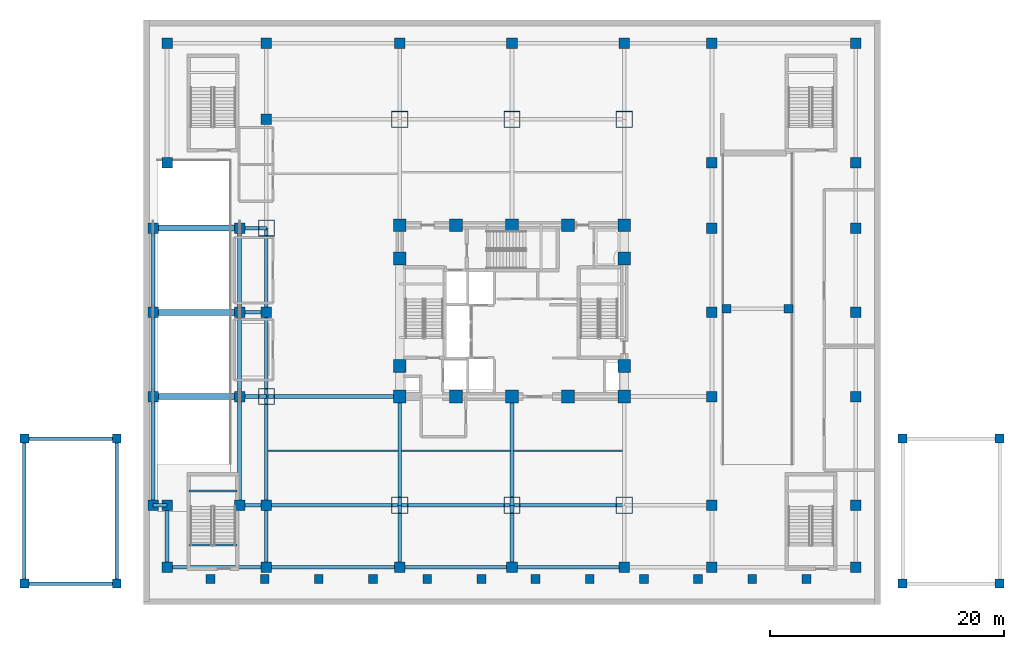
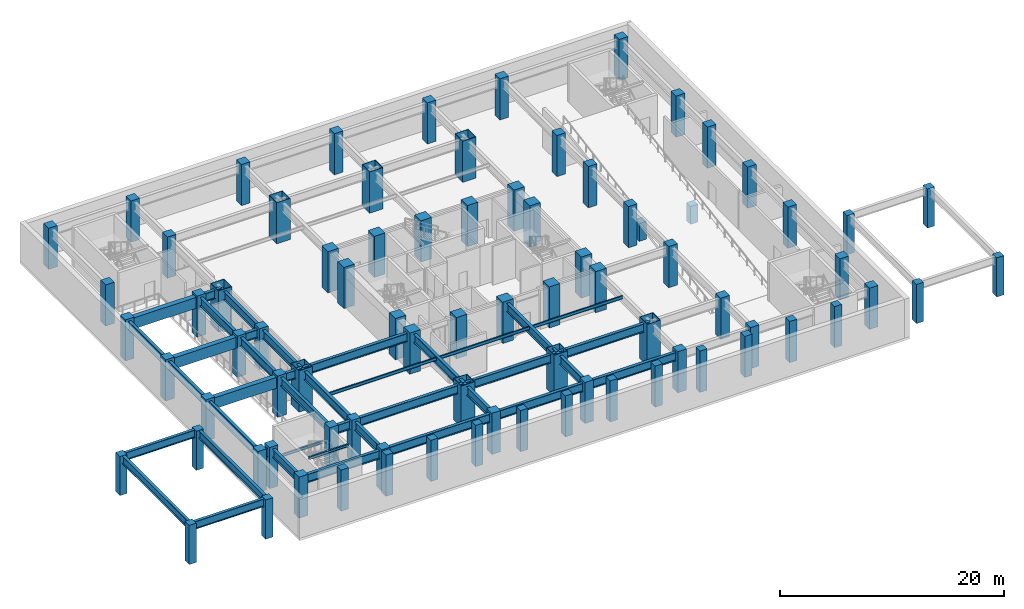
# One storey, part 1 of 12: 81 columns, 40 beams.
"""IFC4 building model written with IfcOpenShell, lengths in metres."""

import ifcopenshell
import ifcopenshell.guid

model = None  # the IFC model being written
_history = None  # IfcOwnerHistory: only IFC2X3 demands one
_inside = {}  # id of a spatial element -> (the spatial element, [elements in it])
_under = {}  # id of a project, library or spatial element -> (it, [spatial elements below it])
_declared = {}  # id of a project -> (the project, [libraries it declares])
_typed = {}  # id of a type object -> (the type object, [elements of that type])
_made_of = {}  # id of a material, layer set ... -> (it, [elements and type objects made of it])


def new_model(schema):
    """Start an empty IFC model of exactly this schema.

    Asked for "IFC4X3", IfcOpenShell would pick the latest addendum, in which some entities
    have other attributes; the version numbers below select the first issue.
    IFC2X3 requires an IfcOwnerHistory on every rooted entity: one is made here for all.
    """
    global model, _history
    if schema == "IFC4X3":
        model = ifcopenshell.file(schema_version=(4, 3, 0, 0))
    else:
        model = ifcopenshell.file(schema=schema)
    _inside.clear()
    _under.clear()
    _declared.clear()
    _typed.clear()
    _made_of.clear()
    _history = None
    if model.schema == "IFC2X3":
        org = make("IfcOrganization", Name="unknown")
        user = make(
            "IfcPersonAndOrganization",
            ThePerson=make("IfcPerson", FamilyName="unknown"),
            TheOrganization=org,
        )
        app = make(
            "IfcApplication",
            ApplicationDeveloper=org,
            Version="unknown",
            ApplicationFullName="unknown",
            ApplicationIdentifier="unknown",
        )
        _history = make(
            "IfcOwnerHistory",
            OwningUser=user,
            OwningApplication=app,
            ChangeAction="ADDED",
            CreationDate=0,
        )
    return model


def make(cls, **values):
    """One entity of the class cls with the attributes given. An attribute that is None is left unset."""
    return model.create_entity(
        cls, **{name: value for name, value in values.items() if value is not None}
    )


def rooted(cls, **values):
    """An entity with a GlobalId (a new one), such as an element, a storey or a relation."""
    return make(cls, GlobalId=ifcopenshell.guid.new(), OwnerHistory=_history, **values)


def si_unit(unit_type, name, prefix=None):
    """IfcSIUnit, for example si_unit("LENGTHUNIT", "METRE", prefix="MILLI")."""
    return make("IfcSIUnit", UnitType=unit_type, Prefix=prefix, Name=name)


def assignment(units):
    """IfcUnitAssignment: the units of a project."""
    return None if units is None else make("IfcUnitAssignment", Units=units)


def point(xyz):
    """IfcCartesianPoint."""
    return None if xyz is None else make("IfcCartesianPoint", Coordinates=xyz)


def direction(xyz):
    """IfcDirection."""
    return None if xyz is None else make("IfcDirection", DirectionRatios=xyz)


def frame(location, z_axis=None, x_axis=None):
    """IfcAxis2Placement3D, a coordinate frame: its origin and axes. An axis left out is left unset."""
    return make(
        "IfcAxis2Placement3D",
        Location=point(location),
        Axis=direction(z_axis),
        RefDirection=direction(x_axis),
    )


def frame_2d(location, x_axis=None):
    """IfcAxis2Placement2D, a coordinate frame in the plane: its origin and x axis."""
    return make(
        "IfcAxis2Placement2D", Location=point(location), RefDirection=direction(x_axis)
    )


def origin():
    """The frame at (0, 0, 0) with its axes left unset."""
    return frame((0.0, 0.0, 0.0))


def origin_2d():
    """The frame at (0, 0) in the plane with its x axis left unset."""
    return frame_2d((0.0, 0.0))


def place(relative_to, where):
    """IfcLocalPlacement: puts the frame where relative to a parent placement (None: the world)."""
    return make(
        "IfcLocalPlacement", PlacementRelTo=relative_to, RelativePlacement=where
    )


def context(
    kind, dimensions, precision=None, world=None, true_north=None, identifier=None
):
    """IfcGeometricRepresentationContext, for example the 3D "Model" context."""
    return make(
        "IfcGeometricRepresentationContext",
        ContextIdentifier=identifier,
        ContextType=kind,
        CoordinateSpaceDimension=dimensions,
        Precision=precision,
        WorldCoordinateSystem=world,
        TrueNorth=true_north,
    )


def subcontext(parent, identifier, kind, view, scale=None):
    """IfcGeometricRepresentationSubContext, for example "Body" below "Model"."""
    return make(
        "IfcGeometricRepresentationSubContext",
        ContextIdentifier=identifier,
        ContextType=kind,
        ParentContext=parent,
        TargetScale=scale,
        TargetView=view,
    )


def project(units=None, contexts=None):
    """IfcProject with its units and contexts."""
    return rooted(
        "IfcProject",
        Name="project",
        RepresentationContexts=contexts,
        UnitsInContext=assignment(units),
    )


def spatial(cls, under=None, at=None, **own):
    """A site, building, storey or space (cls), placed at a placement, below another one or the project."""
    s = rooted(cls, ObjectPlacement=at, **own)
    if under is not None:
        _under.setdefault(under.id(), (under, []))[1].append(s)
    return s


def profile(cls, at=None, kind="AREA", **sizes):
    """A parametric profile (cls). Its sizes go by their IFC names, for example OverallWidth=200.0."""
    return make(cls, ProfileType=kind, Position=at, **sizes)


def rectangle(**sizes):
    """IfcRectangleProfileDef."""
    return profile("IfcRectangleProfileDef", **sizes)


def hollow_rectangle(**sizes):
    """IfcRectangleHollowProfileDef."""
    return profile("IfcRectangleHollowProfileDef", **sizes)


def i_section(**sizes):
    """IfcIShapeProfileDef."""
    return profile("IfcIShapeProfileDef", **sizes)


def extrude(swept, where, along, depth):
    """IfcExtrudedAreaSolid: the profile swept, set in the frame where, extruded along a direction by depth."""
    return make(
        "IfcExtrudedAreaSolid",
        SweptArea=swept,
        Position=where,
        ExtrudedDirection=direction(along),
        Depth=depth,
    )


def shape(context_of_items, identifier, shape_type, items):
    """IfcShapeRepresentation: the items that make up one representation, for example the "Body"."""
    return make(
        "IfcShapeRepresentation",
        ContextOfItems=context_of_items,
        RepresentationIdentifier=identifier,
        RepresentationType=shape_type,
        Items=items,
    )


def material(Name=None, Category=None):
    """IfcMaterial."""
    return make("IfcMaterial", Name=Name, Category=Category)


def material_profile(
    of_material, cross_section, Name=None, Category=None, Priority=None
):
    """IfcMaterialProfile: a cross section and its material."""
    return make(
        "IfcMaterialProfile",
        Name=Name,
        Material=of_material,
        Profile=cross_section,
        Priority=Priority,
        Category=Category,
    )


def profile_set(profiles, Name=None, composite=None):
    """IfcMaterialProfileSet."""
    return make(
        "IfcMaterialProfileSet",
        Name=Name,
        MaterialProfiles=profiles,
        CompositeProfile=composite,
    )


def made_of(thing, what):
    """Note that an element or type object is made of a material, layer set ...; save() writes the relation."""
    if what is not None:
        _made_of.setdefault(what.id(), (what, []))[1].append(thing)
    return thing


def type_object(cls, material=None, **own):
    """A type object (cls), such as IfcWallType, which elements share."""
    return made_of(rooted(cls, **own), material)


def element(
    cls,
    number,
    at=None,
    inside=None,
    cuts=None,
    type_object=None,
    material=None,
    context=None,
    identifier="Body",
    shape_type=None,
    held_by="IfcProductDefinitionShape",
    body=None,
    shapes=None,
    **own,
):
    """One element of the class cls, such as IfcWall. Its Tag is "e" and its number.

    at: its placement. inside: the storey or other place that contains it. cuts: it is an
    opening in that element (IfcRelVoidsElement). A single representation is given by context,
    identifier, shape_type and body (its items); several are given by shapes. held_by: the class
    of the entity that holds the representations. save() writes the other relations.
    """
    e = rooted(cls, Tag="e%d" % number, ObjectPlacement=at, **own)
    if body is not None:
        shapes = [shape(context, identifier, shape_type, body)]
    if shapes is not None:
        e.Representation = make(held_by, Representations=shapes)
    if inside is not None:
        _inside.setdefault(inside.id(), (inside, []))[1].append(e)
    if cuts is not None:
        rooted(
            "IfcRelVoidsElement", RelatingBuildingElement=cuts, RelatedOpeningElement=e
        )
    if type_object is not None:
        _typed.setdefault(type_object.id(), (type_object, []))[1].append(e)
    return made_of(e, material)


def aggregate(whole, parts):
    """IfcRelAggregates: a whole, such as a stair, and the parts it consists of."""
    return rooted("IfcRelAggregates", RelatingObject=whole, RelatedObjects=parts)


def save(model, path):
    """Write the relations noted so far, then the file.

    IfcRelAggregates (storeys below a building ...), IfcRelContainedInSpatialStructure (elements
    in a storey), IfcRelDefinesByType, IfcRelAssociatesMaterial and IfcRelDeclares: one each for
    every whole, place, type object, material and project.
    """
    for whole, parts in _under.values():
        aggregate(whole, parts)
    for where, things in _inside.values():
        rooted(
            "IfcRelContainedInSpatialStructure",
            RelatedElements=things,
            RelatingStructure=where,
        )
    for kind, things in _typed.values():
        rooted("IfcRelDefinesByType", RelatedObjects=things, RelatingType=kind)
    for what, things in _made_of.values():
        rooted("IfcRelAssociatesMaterial", RelatedObjects=things, RelatingMaterial=what)
    for by, libraries in _declared.values():
        rooted("IfcRelDeclares", RelatingContext=by, RelatedDefinitions=libraries)
    model.write(path)


model = new_model("IFC4")

# Units and contexts
model_context = context("Model", 3, precision=1e-05, world=origin(), true_north=direction((0.0, 1.0)))
body_context = subcontext(model_context, "Body", "Model", "MODEL_VIEW")
ifc_project = project(units=[si_unit("LENGTHUNIT", "METRE"), si_unit("AREAUNIT", "SQUARE_METRE"), si_unit("VOLUMEUNIT", "CUBIC_METRE"), si_unit("PLANEANGLEUNIT", "RADIAN"), si_unit("MASSUNIT", "GRAM", prefix="KILO")], contexts=[model_context])

# Site, building, storey
site_placement = place(None, origin())
site = spatial("IfcSite", under=ifc_project, at=site_placement, CompositionType="ELEMENT")
building_placement = place(site_placement, origin())
building = spatial("IfcBuilding", under=site, at=building_placement, Name="Vantalir Tower", CompositionType="ELEMENT")
storey_placement = place(building_placement, frame((0.0, 0.0, -4.5)))
storey = spatial("IfcBuildingStorey", under=building, at=storey_placement, Name="B01", CompositionType="ELEMENT", Elevation=-4.5)

# Columns
ifc_material_1 = material(Name="Concrete C60/75", Category="concrete")
ifc_material_profile_1 = material_profile(ifc_material_1, rectangle(XDim=1.10009765625, YDim=1.10009765625, at=origin_2d()), Name="Concrete C60/75")
ifc_profile_set_1 = profile_set([ifc_material_profile_1], Name="Concrete C60/75")
column_type_1 = type_object("IfcColumnType", Name="COL-CC-1100", PredefinedType="COLUMN", material=ifc_profile_set_1)
for number, where, z_axis, x_axis, name in (
    (1, (21.89990234375, 17.800048828125, 0.0), (0.0, 0.0, 1.0), (1.0, 0.0, 0.0), "B01 Core Column CC01"),
    (2, (26.699951171875, 17.800048828125, 0.0), (0.0, 0.0, 1.0), (1.0, 0.0, 0.0), "B01 Core Column CC02"),
    (3, (31.5, 17.800048828125, 0.0), (0.0, 0.0, 1.0), (1.0, 0.0, 0.0), "B01 Core Column CC03"),
    (4, (36.300048828125, 17.800048828125, 0.0), (0.0, 0.0, 1.0), (1.0, 0.0, 0.0), "B01 Core Column CC04"),
    (5, (41.10009765625, 17.800048828125, 0.0), (0.0, 0.0, 1.0), (1.0, 0.0, 0.0), "B01 Core Column CC05"),
    (6, (21.89990234375, 20.39990234375, 0.0), (0.0, 0.0, 1.0), (1.0, 0.0, 0.0), "B01 Core Column CC06"),
    (7, (21.89990234375, 29.60009765625, 0.0), (0.0, 0.0, 1.0), (1.0, 0.0, 0.0), "B01 Core Column CC07"),
    (8, (41.10009765625, 20.39990234375, 0.0), (0.0, 0.0, 1.0), (1.0, 0.0, 0.0), "B01 Core Column CC08"),
    (9, (41.10009765625, 29.60009765625, 0.0), (0.0, 0.0, 1.0), (1.0, 0.0, 0.0), "B01 Core Column CC09"),
    (10, (21.89990234375, 32.449951171875, 0.0), (0.0, 0.0, 1.0), (1.0, 0.0, 0.0), "B01 Core Column CC10"),
    (11, (26.699951171875, 32.449951171875, 0.0), (0.0, 0.0, 1.0), (1.0, 0.0, 0.0), "B01 Core Column CC11"),
    (12, (31.5, 32.449951171875, 0.0), (0.0, 0.0, 1.0), (1.0, 0.0, 0.0), "B01 Core Column CC12"),
    (13, (36.300048828125, 32.449951171875, 0.0), (0.0, 0.0, 1.0), (1.0, 0.0, 0.0), "B01 Core Column CC13"),
    (14, (41.10009765625, 32.449951171875, 0.0), (0.0, 0.0, 1.0), (1.0, 0.0, 0.0), "B01 Core Column CC14"),
):
    element("IfcColumn", number, at=place(storey_placement, frame(where, z_axis=z_axis, x_axis=x_axis)), inside=storey, type_object=column_type_1, Name=name, PredefinedType="COLUMN", context=body_context, shape_type="SweptSolid", body=[
        extrude(rectangle(XDim=1.10009765625, YDim=1.10009765625, at=origin_2d()), origin(), (0.0, 0.0, 1.0), 4.5),
    ])
ifc_material_2 = material(Name="Steel S460", Category="steel")
ifc_material_profile_2 = material_profile(ifc_material_2, hollow_rectangle(XDim=1.39990234375, YDim=1.39990234375, WallThickness=0.050048828125, at=origin_2d()), Name="Steel S460")
ifc_profile_set_2 = profile_set([ifc_material_profile_2], Name="Steel S460")
column_type_2 = type_object("IfcColumnType", Name="COL-MC-1400", PredefinedType="COLUMN", material=ifc_profile_set_2)
for number, where, z_axis, x_axis, name in (
    (15, (21.89990234375, 8.5, 0.0), (0.0, 0.0, 1.0), (1.0, 0.0, 0.0), "B01 S460 Mega-Column MC01"),
    (16, (31.5, 8.5, 0.0), (0.0, 0.0, 1.0), (1.0, 0.0, 0.0), "B01 S460 Mega-Column MC02"),
    (17, (41.10009765625, 8.5, 0.0), (0.0, 0.0, 1.0), (1.0, 0.0, 0.0), "B01 S460 Mega-Column MC03"),
    (18, (10.5, 17.800048828125, 0.0), (0.0, 0.0, 1.0), (1.0, 0.0, 0.0), "B01 S460 Mega-Column MC04"),
    (19, (10.5, 32.199951171875, 0.0), (0.0, 0.0, 1.0), (1.0, 0.0, 0.0), "B01 S460 Mega-Column MC05"),
    (20, (21.89990234375, 41.5, 0.0), (0.0, 0.0, 1.0), (1.0, 0.0, 0.0), "B01 S460 Mega-Column MC06"),
    (21, (31.5, 41.5, 0.0), (0.0, 0.0, 1.0), (1.0, 0.0, 0.0), "B01 S460 Mega-Column MC07"),
    (22, (41.10009765625, 41.5, 0.0), (0.0, 0.0, 1.0), (1.0, 0.0, 0.0), "B01 S460 Mega-Column MC08"),
):
    element("IfcColumn", number, at=place(storey_placement, frame(where, z_axis=z_axis, x_axis=x_axis)), inside=storey, type_object=column_type_2, Name=name, PredefinedType="COLUMN", context=body_context, shape_type="SweptSolid", body=[
        extrude(hollow_rectangle(XDim=1.39990234375, YDim=1.39990234375, WallThickness=0.050048828125, at=origin_2d()), origin(), (0.0, 0.0, 1.0), 4.5),
    ])
ifc_material_3 = material(Name="Concrete C50/60", Category="concrete")
ifc_material_profile_3 = material_profile(ifc_material_3, rectangle(XDim=0.75, YDim=0.75, at=origin_2d()), Name="Concrete C50/60")
ifc_profile_set_3 = profile_set([ifc_material_profile_3], Name="Concrete C50/60")
column_type_3 = type_object("IfcColumnType", Name="COL-PC-750", PredefinedType="COLUMN", material=ifc_profile_set_3)
for number, where, z_axis, x_axis, name in (
    (23, (-10.199951171875, 1.800048828125, 0.0), (0.0, 0.0, 1.0), (1.0, 0.0, 0.0), "B01 Marine Boardwalk Pier WEST 1"),
    (24, (-2.300048828125, 1.800048828125, 0.0), (0.0, 0.0, 1.0), (1.0, 0.0, 0.0), "B01 Marine Boardwalk Pier WEST 2"),
    (25, (-2.300048828125, 14.199951171875, 0.0), (0.0, 0.0, 1.0), (1.0, 0.0, 0.0), "B01 Marine Boardwalk Pier WEST 3"),
    (26, (-10.199951171875, 14.199951171875, 0.0), (0.0, 0.0, 1.0), (1.0, 0.0, 0.0), "B01 Marine Boardwalk Pier WEST 4"),
    (27, (64.89990234375, 1.800048828125, 0.0), (0.0, 0.0, 1.0), (1.0, 0.0, 0.0), "B01 Marine Boardwalk Pier EAST 1"),
    (28, (73.199951171875, 1.800048828125, 0.0), (0.0, 0.0, 1.0), (1.0, 0.0, 0.0), "B01 Marine Boardwalk Pier EAST 2"),
    (29, (73.199951171875, 14.199951171875, 0.0), (0.0, 0.0, 1.0), (1.0, 0.0, 0.0), "B01 Marine Boardwalk Pier EAST 3"),
    (30, (64.89990234375, 14.199951171875, 0.0), (0.0, 0.0, 1.0), (1.0, 0.0, 0.0), "B01 Marine Boardwalk Pier EAST 4"),
):
    element("IfcColumn", number, at=place(storey_placement, frame(where, z_axis=z_axis, x_axis=x_axis)), inside=storey, type_object=column_type_3, Name=name, PredefinedType="COLUMN", context=body_context, shape_type="SweptSolid", body=[
        extrude(rectangle(XDim=0.75, YDim=0.75, at=origin_2d()), origin(), (0.0, 0.0, 1.0), 4.280029296875),
    ])
for number, where, z_axis, x_axis, name in (
    (31, (5.717041015625, 2.199951171875, 0.0), (0.0, 0.0, 1.0), (1.0, 0.0, 0.0), "B01 Waterfront Colonnade Substructure Pier 01"),
    (32, (10.35009765625, 2.199951171875, 0.0), (0.0, 0.0, 1.0), (1.0, 0.0, 0.0), "B01 Waterfront Colonnade Substructure Pier 02"),
    (33, (14.98291015625, 2.199951171875, 0.0), (0.0, 0.0, 1.0), (1.0, 0.0, 0.0), "B01 Waterfront Colonnade Substructure Pier 03"),
    (34, (19.616943359375, 2.199951171875, 0.0), (0.0, 0.0, 1.0), (1.0, 0.0, 0.0), "B01 Waterfront Colonnade Substructure Pier 04"),
    (35, (24.25, 2.199951171875, 0.0), (0.0, 0.0, 1.0), (1.0, 0.0, 0.0), "B01 Waterfront Colonnade Substructure Pier 05"),
    (36, (28.883056640625, 2.199951171875, 0.0), (0.0, 0.0, 1.0), (1.0, 0.0, 0.0), "B01 Waterfront Colonnade Substructure Pier 06"),
    (37, (33.51708984375, 2.199951171875, 0.0), (0.0, 0.0, 1.0), (1.0, 0.0, 0.0), "B01 Waterfront Colonnade Substructure Pier 07"),
    (38, (38.14990234375, 2.199951171875, 0.0), (0.0, 0.0, 1.0), (1.0, 0.0, 0.0), "B01 Waterfront Colonnade Substructure Pier 08"),
    (39, (42.782958984375, 2.199951171875, 0.0), (0.0, 0.0, 1.0), (1.0, 0.0, 0.0), "B01 Waterfront Colonnade Substructure Pier 09"),
    (40, (47.4169921875, 2.199951171875, 0.0), (0.0, 0.0, 1.0), (1.0, 0.0, 0.0), "B01 Waterfront Colonnade Substructure Pier 10"),
    (41, (52.050048828125, 2.199951171875, 0.0), (0.0, 0.0, 1.0), (1.0, 0.0, 0.0), "B01 Waterfront Colonnade Substructure Pier 11"),
    (42, (56.68310546875, 2.199951171875, 0.0), (0.0, 0.0, 1.0), (1.0, 0.0, 0.0), "B01 Waterfront Colonnade Substructure Pier 12"),
):
    element("IfcColumn", number, at=place(storey_placement, frame(where, z_axis=z_axis, x_axis=x_axis)), inside=storey, type_object=column_type_3, Name=name, PredefinedType="COLUMN", context=body_context, shape_type="SweptSolid", body=[
        extrude(rectangle(XDim=0.75, YDim=0.75, at=origin_2d()), origin(), (0.0, 0.0, 1.0), 4.5),
    ])
for number, where, z_axis, x_axis, name in (
    (43, (49.85009765625, 25.300048828125, 0.0), (0.0, 0.0, 1.0), (1.0, 0.0, 0.0), "B01 Car Park Ramp VR1 Mid-Span Pier Column 1"),
    (44, (55.14990234375, 25.300048828125, 0.0), (0.0, 0.0, 1.0), (1.0, 0.0, 0.0), "B01 Car Park Ramp VR1 Mid-Span Pier Column 2"),
):
    element("IfcColumn", number, at=place(storey_placement, frame(where, z_axis=z_axis, x_axis=x_axis)), inside=storey, type_object=column_type_3, Name=name, PredefinedType="COLUMN", context=body_context, shape_type="SweptSolid", body=[
        extrude(rectangle(XDim=0.75, YDim=0.75, at=origin_2d()), origin(), (0.0, 0.0, 1.0), 1.9599609375),
    ])
ifc_material_profile_4 = material_profile(ifc_material_1, rectangle(XDim=0.89990234375, YDim=0.89990234375, at=origin_2d()), Name="Concrete C60/75")
ifc_profile_set_4 = profile_set([ifc_material_profile_4], Name="Concrete C60/75")
column_type_4 = type_object("IfcColumnType", Name="COL-PC-900", PredefinedType="COLUMN", material=ifc_profile_set_4)
for number, where, z_axis, x_axis, name in (
    (45, (2.0, 3.199951171875, 0.0), (0.0, 0.0, 1.0), (1.0, 0.0, 0.0), "B01 Podium Column PC01"),
    (46, (8.199951171875, 8.5, 0.0), (0.0, 0.0, 1.0), (1.0, 0.0, 0.0), "B01 Podium Column PC02"),
    (47, (8.199951171875, 17.800048828125, 0.0), (0.0, 0.0, 1.0), (1.0, 0.0, 0.0), "B01 Podium Column PC03"),
    (48, (8.199951171875, 25.0, 0.0), (0.0, 0.0, 1.0), (1.0, 0.0, 0.0), "B01 Podium Column PC04"),
    (49, (8.199951171875, 32.199951171875, 0.0), (0.0, 0.0, 1.0), (1.0, 0.0, 0.0), "B01 Podium Column PC05"),
    (50, (2.0, 37.800048828125, 0.0), (0.0, 0.0, 1.0), (1.0, 0.0, 0.0), "B01 Podium Column PC06"),
    (51, (2.0, 48.0, 0.0), (0.0, 0.0, 1.0), (1.0, 0.0, 0.0), "B01 Podium Column PC07"),
    (52, (2.0, 8.5, 0.0), (0.0, 0.0, 1.0), (1.0, 0.0, 0.0), "B01 Podium Column PC08"),
    (53, (10.5, 3.199951171875, 0.0), (0.0, 0.0, 1.0), (1.0, 0.0, 0.0), "B01 Podium Column PC12"),
    (54, (10.5, 8.5, 0.0), (0.0, 0.0, 1.0), (1.0, 0.0, 0.0), "B01 Podium Column PC13"),
    (55, (10.5, 25.0, 0.0), (0.0, 0.0, 1.0), (1.0, 0.0, 0.0), "B01 Podium Column PC14"),
    (56, (10.5, 41.5, 0.0), (0.0, 0.0, 1.0), (1.0, 0.0, 0.0), "B01 Podium Column PC15"),
    (57, (10.5, 48.0, 0.0), (0.0, 0.0, 1.0), (1.0, 0.0, 0.0), "B01 Podium Column PC16"),
    (58, (21.89990234375, 3.199951171875, 0.0), (0.0, 0.0, 1.0), (1.0, 0.0, 0.0), "B01 Podium Column PC17"),
    (59, (31.5, 3.199951171875, 0.0), (0.0, 0.0, 1.0), (1.0, 0.0, 0.0), "B01 Podium Column PC18"),
    (60, (41.10009765625, 3.199951171875, 0.0), (0.0, 0.0, 1.0), (1.0, 0.0, 0.0), "B01 Podium Column PC19"),
    (61, (48.60009765625, 3.199951171875, 0.0), (0.0, 0.0, 1.0), (1.0, 0.0, 0.0), "B01 Podium Column PC20"),
    (62, (48.60009765625, 8.5, 0.0), (0.0, 0.0, 1.0), (1.0, 0.0, 0.0), "B01 Podium Column PC21"),
    (63, (21.89990234375, 48.0, 0.0), (0.0, 0.0, 1.0), (1.0, 0.0, 0.0), "B01 Podium Column PC22"),
    (64, (31.5, 48.0, 0.0), (0.0, 0.0, 1.0), (1.0, 0.0, 0.0), "B01 Podium Column PC23"),
    (65, (41.10009765625, 48.0, 0.0), (0.0, 0.0, 1.0), (1.0, 0.0, 0.0), "B01 Podium Column PC24"),
    (66, (48.60009765625, 48.0, 0.0), (0.0, 0.0, 1.0), (1.0, 0.0, 0.0), "B01 Podium Column PC25"),
    (67, (48.60009765625, 17.800048828125, 0.0), (0.0, 0.0, 1.0), (1.0, 0.0, 0.0), "B01 Podium Column PC26"),
    (68, (48.60009765625, 25.0, 0.0), (0.0, 0.0, 1.0), (1.0, 0.0, 0.0), "B01 Podium Column PC27"),
    (69, (48.60009765625, 32.199951171875, 0.0), (0.0, 0.0, 1.0), (1.0, 0.0, 0.0), "B01 Podium Column PC28"),
    (70, (48.60009765625, 37.800048828125, 0.0), (0.0, 0.0, 1.0), (1.0, 0.0, 0.0), "B01 Podium Column PC29"),
    (71, (60.89990234375, 3.199951171875, 0.0), (0.0, 0.0, 1.0), (1.0, 0.0, 0.0), "B01 Podium Column PC30"),
    (72, (60.89990234375, 8.5, 0.0), (0.0, 0.0, 1.0), (1.0, 0.0, 0.0), "B01 Podium Column PC31"),
    (73, (60.89990234375, 17.800048828125, 0.0), (0.0, 0.0, 1.0), (1.0, 0.0, 0.0), "B01 Podium Column PC32"),
    (74, (60.89990234375, 25.0, 0.0), (0.0, 0.0, 1.0), (1.0, 0.0, 0.0), "B01 Podium Column PC33"),
    (75, (60.89990234375, 32.199951171875, 0.0), (0.0, 0.0, 1.0), (1.0, 0.0, 0.0), "B01 Podium Column PC34"),
    (76, (60.89990234375, 37.800048828125, 0.0), (0.0, 0.0, 1.0), (1.0, 0.0, 0.0), "B01 Podium Column PC35"),
    (77, (60.89990234375, 48.0, 0.0), (0.0, 0.0, 1.0), (1.0, 0.0, 0.0), "B01 Podium Column PC36"),
    (78, (0.800048828125, 8.5, 0.0), (0.0, 0.0, 1.0), (1.0, 0.0, 0.0), "B01 West Ramp Pier Column PCRW01"),
    (79, (0.800048828125, 17.800048828125, 0.0), (0.0, 0.0, 1.0), (1.0, 0.0, 0.0), "B01 West Ramp Pier Column PCRW02"),
    (80, (0.800048828125, 25.0, 0.0), (0.0, 0.0, 1.0), (1.0, 0.0, 0.0), "B01 West Ramp Pier Column PCRW03"),
    (81, (0.800048828125, 32.199951171875, 0.0), (0.0, 0.0, 1.0), (1.0, 0.0, 0.0), "B01 West Ramp Pier Column PCRW04"),
):
    element("IfcColumn", number, at=place(storey_placement, frame(where, z_axis=z_axis, x_axis=x_axis)), inside=storey, type_object=column_type_4, Name=name, PredefinedType="COLUMN", context=body_context, shape_type="SweptSolid", body=[
        extrude(rectangle(XDim=0.89990234375, YDim=0.89990234375, at=origin_2d()), origin(), (0.0, 0.0, 1.0), 4.5),
    ])

# Beams
ifc_material_4 = material(Name="Steel S355", Category="steel")
ifc_material_profile_5 = material_profile(ifc_material_4, i_section(OverallWidth=0.166015625, OverallDepth=0.306884765625, WebThickness=0.006591796875, FlangeThickness=0.01171875, at=origin_2d()), Name="Steel S355")
ifc_profile_set_5 = profile_set([ifc_material_profile_5], Name="Steel S355")
beam_type_1 = type_object("IfcBeamType", Name="BM-JS-305x165", PredefinedType="JOIST", material=ifc_profile_set_5)
for number, where, z_axis, x_axis, name in (
    (82, (3.860107421875, 5.094970703125, 4.345947265625), (1.0, 0.0, 0.0), (0.0, 1.0, 0.0), "L00 Stair PST3 Well Nosing Trimmer Beam"),
    (83, (3.860107421875, 9.705078125, 1.89599609375), (1.0, 0.0, 0.0), (0.0, 1.0, 0.0), "B01 Stair PST3 Half-Landing Support Beam"),
):
    element("IfcBeam", number, at=place(storey_placement, frame(where, z_axis=z_axis, x_axis=x_axis)), inside=storey, type_object=beam_type_1, Name=name, PredefinedType="JOIST", context=body_context, shape_type="SweptSolid", body=[
        extrude(i_section(OverallWidth=0.166015625, OverallDepth=0.306884765625, WebThickness=0.006591796875, FlangeThickness=0.01171875, at=origin_2d()), origin(), (0.0, 0.0, 1.0), 4.1298828125),
    ])
ifc_material_profile_6 = material_profile(ifc_material_4, i_section(OverallWidth=0.1259765625, OverallDepth=0.35302734375, WebThickness=0.006591796875, FlangeThickness=0.0107421875, at=origin_2d()), Name="Steel S355")
ifc_profile_set_6 = profile_set([ifc_material_profile_6], Name="Steel S355")
beam_type_2 = type_object("IfcBeamType", Name="BM-JS-356x127", PredefinedType="JOIST", material=ifc_profile_set_6)
beam_1_placement = place(storey_placement, frame((10.64501953125, 13.14990234375, 4.073974609375), z_axis=(1.0, 0.0, 0.0), x_axis=(0.0, 1.0, 0.0)))
element("IfcBeam", 84, at=beam_1_placement, inside=storey, type_object=beam_type_2, Name="B01 Secondary Composite Joist 01", PredefinedType="JOIST", context=body_context, shape_type="SweptSolid", body=[
    extrude(i_section(OverallWidth=0.1259765625, OverallDepth=0.35302734375, WebThickness=0.006591796875, FlangeThickness=0.0107421875, at=origin_2d()), origin(), (0.0, 0.0, 1.0), 11.10986328125),
])
for number, where, z_axis, x_axis, name in (
    (85, (22.044921875, 13.14990234375, 4.073974609375), (1.0, 0.0, 0.0), (0.0, 1.0, 0.0), "B01 Secondary Composite Joist 03"),
    (86, (31.64501953125, 13.14990234375, 4.073974609375), (1.0, 0.0, 0.0), (0.0, 1.0, 0.0), "B01 Secondary Composite Joist 05"),
):
    element("IfcBeam", number, at=place(storey_placement, frame(where, z_axis=z_axis, x_axis=x_axis)), inside=storey, type_object=beam_type_2, Name=name, PredefinedType="JOIST", context=body_context, shape_type="SweptSolid", body=[
        extrude(i_section(OverallWidth=0.1259765625, OverallDepth=0.35302734375, WebThickness=0.006591796875, FlangeThickness=0.0107421875, at=origin_2d()), origin(), (0.0, 0.0, 1.0), 9.31005859375),
    ])
ifc_material_profile_7 = material_profile(ifc_material_4, i_section(OverallWidth=0.2939453125, OverallDepth=0.85107421875, WebThickness=0.01611328125, FlangeThickness=0.02685546875, at=origin_2d()), Name="Steel S355")
ifc_profile_set_7 = profile_set([ifc_material_profile_7], Name="Steel S355")
beam_type_3 = type_object("IfcBeamType", Name="BM-PG-838x292", PredefinedType="USERDEFINED", material=ifc_profile_set_7)
beam_2_placement = place(storey_placement, frame((-10.199951171875, 1.800048828125, 3.85400390625), z_axis=(1.0, 0.0, 0.0), x_axis=(0.0, 1.0, 0.0)))
element("IfcBeam", 87, at=beam_2_placement, inside=storey, type_object=beam_type_3, Name="Waterfront Boardwalk Edge Girder WEST 1", ObjectType="GIRDER", PredefinedType="USERDEFINED", context=body_context, shape_type="SweptSolid", body=[
    extrude(i_section(OverallWidth=0.2939453125, OverallDepth=0.85107421875, WebThickness=0.01611328125, FlangeThickness=0.02685546875, at=origin_2d()), origin(), (0.0, 0.0, 1.0), 7.89990234375),
])
beam_3_placement = place(storey_placement, frame((-2.300048828125, 1.800048828125, 3.85400390625), z_axis=(0.0, 1.0, 0.0), x_axis=(-1.0, 0.0, 0.0)))
element("IfcBeam", 88, at=beam_3_placement, inside=storey, type_object=beam_type_3, Name="Waterfront Boardwalk Edge Girder WEST 2", ObjectType="GIRDER", PredefinedType="USERDEFINED", context=body_context, shape_type="SweptSolid", body=[
    extrude(i_section(OverallWidth=0.2939453125, OverallDepth=0.85107421875, WebThickness=0.01611328125, FlangeThickness=0.02685546875, at=origin_2d()), origin(), (0.0, 0.0, 1.0), 12.39990234375),
])
beam_4_placement = place(storey_placement, frame((-2.300048828125, 14.199951171875, 3.85400390625), z_axis=(-1.0, 0.0, 0.0), x_axis=(0.0, -1.0, 0.0)))
element("IfcBeam", 89, at=beam_4_placement, inside=storey, type_object=beam_type_3, Name="Waterfront Boardwalk Edge Girder WEST 3", ObjectType="GIRDER", PredefinedType="USERDEFINED", context=body_context, shape_type="SweptSolid", body=[
    extrude(i_section(OverallWidth=0.2939453125, OverallDepth=0.85107421875, WebThickness=0.01611328125, FlangeThickness=0.02685546875, at=origin_2d()), origin(), (0.0, 0.0, 1.0), 7.89990234375),
])
beam_5_placement = place(storey_placement, frame((-10.199951171875, 14.199951171875, 3.85400390625), z_axis=(0.0, -1.0, 0.0), x_axis=(1.0, 0.0, 0.0)))
element("IfcBeam", 90, at=beam_5_placement, inside=storey, type_object=beam_type_3, Name="Waterfront Boardwalk Edge Girder WEST 4", ObjectType="GIRDER", PredefinedType="USERDEFINED", context=body_context, shape_type="SweptSolid", body=[
    extrude(i_section(OverallWidth=0.2939453125, OverallDepth=0.85107421875, WebThickness=0.01611328125, FlangeThickness=0.02685546875, at=origin_2d()), origin(), (0.0, 0.0, 1.0), 12.39990234375),
])
ifc_material_profile_8 = material_profile(ifc_material_4, i_section(OverallWidth=0.30810546875, OverallDepth=0.927001953125, WebThickness=0.01953125, FlangeThickness=0.031982421875, at=origin_2d()), Name="Steel S355")
ifc_profile_set_8 = profile_set([ifc_material_profile_8], Name="Steel S355")
beam_type_4 = type_object("IfcBeamType", Name="BM-PG-914x305", PredefinedType="USERDEFINED", material=ifc_profile_set_8)
beam_6_placement = place(storey_placement, frame((2.0, 3.199951171875, 3.785888671875), z_axis=(1.0, 0.0, 0.0), x_axis=(0.0, 1.0, 0.0)))
element("IfcBeam", 91, at=beam_6_placement, inside=storey, type_object=beam_type_4, Name="B01 Podium E-W Girder 01", ObjectType="GIRDER", PredefinedType="USERDEFINED", context=body_context, shape_type="SweptSolid", body=[
    extrude(i_section(OverallWidth=0.30810546875, OverallDepth=0.927001953125, WebThickness=0.01953125, FlangeThickness=0.031982421875, at=origin_2d()), origin(), (0.0, 0.0, 1.0), 8.5),
])
beam_7_placement = place(storey_placement, frame((10.5, 3.199951171875, 3.785888671875), z_axis=(1.0, 0.0, 0.0), x_axis=(0.0, 1.0, 0.0)))
element("IfcBeam", 92, at=beam_7_placement, inside=storey, type_object=beam_type_4, Name="B01 Podium E-W Girder 02", ObjectType="GIRDER", PredefinedType="USERDEFINED", context=body_context, shape_type="SweptSolid", body=[
    extrude(i_section(OverallWidth=0.30810546875, OverallDepth=0.927001953125, WebThickness=0.01953125, FlangeThickness=0.031982421875, at=origin_2d()), origin(), (0.0, 0.0, 1.0), 11.39990234375),
])
for number, where, z_axis, x_axis, name in (
    (93, (21.89990234375, 3.199951171875, 3.785888671875), (1.0, 0.0, 0.0), (0.0, 1.0, 0.0), "B01 Podium E-W Girder 03"),
    (94, (31.5, 3.199951171875, 3.785888671875), (1.0, 0.0, 0.0), (0.0, 1.0, 0.0), "B01 Podium E-W Girder 04"),
):
    element("IfcBeam", number, at=place(storey_placement, frame(where, z_axis=z_axis, x_axis=x_axis)), inside=storey, type_object=beam_type_4, Name=name, ObjectType="GIRDER", PredefinedType="USERDEFINED", context=body_context, shape_type="SweptSolid", body=[
        extrude(i_section(OverallWidth=0.30810546875, OverallDepth=0.927001953125, WebThickness=0.01953125, FlangeThickness=0.031982421875, at=origin_2d()), origin(), (0.0, 0.0, 1.0), 9.60009765625),
    ])
beam_8_placement = place(storey_placement, frame((0.800048828125, 8.5, 3.785888671875), z_axis=(1.0, 0.0, 0.0), x_axis=(0.0, 1.0, 0.0)))
element("IfcBeam", 95, at=beam_8_placement, inside=storey, type_object=beam_type_4, Name="B01 Podium E-W Girder 07", ObjectType="GIRDER", PredefinedType="USERDEFINED", context=body_context, shape_type="SweptSolid", body=[
    extrude(i_section(OverallWidth=0.30810546875, OverallDepth=0.927001953125, WebThickness=0.01953125, FlangeThickness=0.031982421875, at=origin_2d()), origin(), (0.0, 0.0, 1.0), 1.199951171875),
])
beam_9_placement = place(storey_placement, frame((8.199951171875, 8.5, 3.785888671875), z_axis=(1.0, 0.0, 0.0), x_axis=(0.0, 1.0, 0.0)))
element("IfcBeam", 96, at=beam_9_placement, inside=storey, type_object=beam_type_4, Name="B01 Podium E-W Girder 08", ObjectType="GIRDER", PredefinedType="USERDEFINED", context=body_context, shape_type="SweptSolid", body=[
    extrude(i_section(OverallWidth=0.30810546875, OverallDepth=0.927001953125, WebThickness=0.01953125, FlangeThickness=0.031982421875, at=origin_2d()), origin(), (0.0, 0.0, 1.0), 2.300048828125),
])
beam_10_placement = place(storey_placement, frame((10.5, 8.5, 3.785888671875), z_axis=(1.0, 0.0, 0.0), x_axis=(0.0, 1.0, 0.0)))
element("IfcBeam", 97, at=beam_10_placement, inside=storey, type_object=beam_type_4, Name="B01 Podium E-W Girder 09", ObjectType="GIRDER", PredefinedType="USERDEFINED", context=body_context, shape_type="SweptSolid", body=[
    extrude(i_section(OverallWidth=0.30810546875, OverallDepth=0.927001953125, WebThickness=0.01953125, FlangeThickness=0.031982421875, at=origin_2d()), origin(), (0.0, 0.0, 1.0), 11.39990234375),
])
for number, where, z_axis, x_axis, name in (
    (98, (21.89990234375, 8.5, 3.785888671875), (1.0, 0.0, 0.0), (0.0, 1.0, 0.0), "B01 Podium E-W Girder 10"),
    (99, (31.5, 8.5, 3.785888671875), (1.0, 0.0, 0.0), (0.0, 1.0, 0.0), "B01 Podium E-W Girder 11"),
):
    element("IfcBeam", number, at=place(storey_placement, frame(where, z_axis=z_axis, x_axis=x_axis)), inside=storey, type_object=beam_type_4, Name=name, ObjectType="GIRDER", PredefinedType="USERDEFINED", context=body_context, shape_type="SweptSolid", body=[
        extrude(i_section(OverallWidth=0.30810546875, OverallDepth=0.927001953125, WebThickness=0.01953125, FlangeThickness=0.031982421875, at=origin_2d()), origin(), (0.0, 0.0, 1.0), 9.60009765625),
    ])
beam_11_placement = place(storey_placement, frame((8.199951171875, 17.800048828125, 3.785888671875), z_axis=(1.0, 0.0, 0.0), x_axis=(0.0, 1.0, 0.0)))
element("IfcBeam", 100, at=beam_11_placement, inside=storey, type_object=beam_type_4, Name="B01 Podium E-W Girder 14", ObjectType="GIRDER", PredefinedType="USERDEFINED", context=body_context, shape_type="SweptSolid", body=[
    extrude(i_section(OverallWidth=0.30810546875, OverallDepth=0.927001953125, WebThickness=0.01953125, FlangeThickness=0.031982421875, at=origin_2d()), origin(), (0.0, 0.0, 1.0), 2.300048828125),
])
beam_12_placement = place(storey_placement, frame((10.5, 17.800048828125, 3.785888671875), z_axis=(1.0, 0.0, 0.0), x_axis=(0.0, 1.0, 0.0)))
element("IfcBeam", 101, at=beam_12_placement, inside=storey, type_object=beam_type_4, Name="B01 Podium E-W Girder 15", ObjectType="GIRDER", PredefinedType="USERDEFINED", context=body_context, shape_type="SweptSolid", body=[
    extrude(i_section(OverallWidth=0.30810546875, OverallDepth=0.927001953125, WebThickness=0.01953125, FlangeThickness=0.031982421875, at=origin_2d()), origin(), (0.0, 0.0, 1.0), 11.39990234375),
])
for number, where, z_axis, x_axis, name in (
    (102, (8.199951171875, 25.0, 3.785888671875), (1.0, 0.0, 0.0), (0.0, 1.0, 0.0), "B01 Podium E-W Girder 22"),
    (103, (8.199951171875, 32.199951171875, 3.785888671875), (1.0, 0.0, 0.0), (0.0, 1.0, 0.0), "B01 Podium E-W Girder 24"),
):
    element("IfcBeam", number, at=place(storey_placement, frame(where, z_axis=z_axis, x_axis=x_axis)), inside=storey, type_object=beam_type_4, Name=name, ObjectType="GIRDER", PredefinedType="USERDEFINED", context=body_context, shape_type="SweptSolid", body=[
        extrude(i_section(OverallWidth=0.30810546875, OverallDepth=0.927001953125, WebThickness=0.01953125, FlangeThickness=0.031982421875, at=origin_2d()), origin(), (0.0, 0.0, 1.0), 2.300048828125),
    ])
beam_13_placement = place(storey_placement, frame((0.800048828125, 8.5, 3.785888671875), z_axis=(0.0, 1.0, 0.0), x_axis=(-1.0, 0.0, 0.0)))
element("IfcBeam", 104, at=beam_13_placement, inside=storey, type_object=beam_type_4, Name="B01 Podium N-S Girder 38", ObjectType="GIRDER", PredefinedType="USERDEFINED", context=body_context, shape_type="SweptSolid", body=[
    extrude(i_section(OverallWidth=0.30810546875, OverallDepth=0.927001953125, WebThickness=0.01953125, FlangeThickness=0.031982421875, at=origin_2d()), origin(), (0.0, 0.0, 1.0), 9.300048828125),
])
for number, where, z_axis, x_axis, name in (
    (105, (0.800048828125, 17.800048828125, 3.785888671875), (0.0, 1.0, 0.0), (-1.0, 0.0, 0.0), "B01 Podium N-S Girder 39"),
    (106, (0.800048828125, 25.0, 3.785888671875), (0.0, 1.0, 0.0), (-1.0, 0.0, 0.0), "B01 Podium N-S Girder 40"),
):
    element("IfcBeam", number, at=place(storey_placement, frame(where, z_axis=z_axis, x_axis=x_axis)), inside=storey, type_object=beam_type_4, Name=name, ObjectType="GIRDER", PredefinedType="USERDEFINED", context=body_context, shape_type="SweptSolid", body=[
        extrude(i_section(OverallWidth=0.30810546875, OverallDepth=0.927001953125, WebThickness=0.01953125, FlangeThickness=0.031982421875, at=origin_2d()), origin(), (0.0, 0.0, 1.0), 7.199951171875),
    ])
beam_14_placement = place(storey_placement, frame((2.0, 3.199951171875, 3.785888671875), z_axis=(0.0, 1.0, 0.0), x_axis=(-1.0, 0.0, 0.0)))
element("IfcBeam", 107, at=beam_14_placement, inside=storey, type_object=beam_type_4, Name="B01 Podium N-S Girder 41", ObjectType="GIRDER", PredefinedType="USERDEFINED", context=body_context, shape_type="SweptSolid", body=[
    extrude(i_section(OverallWidth=0.30810546875, OverallDepth=0.927001953125, WebThickness=0.01953125, FlangeThickness=0.031982421875, at=origin_2d()), origin(), (0.0, 0.0, 1.0), 5.300048828125),
])
beam_15_placement = place(storey_placement, frame((8.199951171875, 8.5, 3.785888671875), z_axis=(0.0, 1.0, 0.0), x_axis=(-1.0, 0.0, 0.0)))
element("IfcBeam", 108, at=beam_15_placement, inside=storey, type_object=beam_type_4, Name="B01 Podium N-S Girder 43", ObjectType="GIRDER", PredefinedType="USERDEFINED", context=body_context, shape_type="SweptSolid", body=[
    extrude(i_section(OverallWidth=0.30810546875, OverallDepth=0.927001953125, WebThickness=0.01953125, FlangeThickness=0.031982421875, at=origin_2d()), origin(), (0.0, 0.0, 1.0), 9.300048828125),
])
for number, where, z_axis, x_axis, name in (
    (109, (8.199951171875, 17.800048828125, 3.785888671875), (0.0, 1.0, 0.0), (-1.0, 0.0, 0.0), "B01 Podium N-S Girder 44"),
    (110, (8.199951171875, 25.0, 3.785888671875), (0.0, 1.0, 0.0), (-1.0, 0.0, 0.0), "B01 Podium N-S Girder 45"),
):
    element("IfcBeam", number, at=place(storey_placement, frame(where, z_axis=z_axis, x_axis=x_axis)), inside=storey, type_object=beam_type_4, Name=name, ObjectType="GIRDER", PredefinedType="USERDEFINED", context=body_context, shape_type="SweptSolid", body=[
        extrude(i_section(OverallWidth=0.30810546875, OverallDepth=0.927001953125, WebThickness=0.01953125, FlangeThickness=0.031982421875, at=origin_2d()), origin(), (0.0, 0.0, 1.0), 7.199951171875),
    ])
beam_16_placement = place(storey_placement, frame((10.5, 3.199951171875, 3.785888671875), z_axis=(0.0, 1.0, 0.0), x_axis=(-1.0, 0.0, 0.0)))
element("IfcBeam", 111, at=beam_16_placement, inside=storey, type_object=beam_type_4, Name="B01 Podium N-S Girder 46", ObjectType="GIRDER", PredefinedType="USERDEFINED", context=body_context, shape_type="SweptSolid", body=[
    extrude(i_section(OverallWidth=0.30810546875, OverallDepth=0.927001953125, WebThickness=0.01953125, FlangeThickness=0.031982421875, at=origin_2d()), origin(), (0.0, 0.0, 1.0), 5.300048828125),
])
beam_17_placement = place(storey_placement, frame((10.5, 8.5, 3.785888671875), z_axis=(0.0, 1.0, 0.0), x_axis=(-1.0, 0.0, 0.0)))
element("IfcBeam", 112, at=beam_17_placement, inside=storey, type_object=beam_type_4, Name="B01 Podium N-S Girder 47", ObjectType="GIRDER", PredefinedType="USERDEFINED", context=body_context, shape_type="SweptSolid", body=[
    extrude(i_section(OverallWidth=0.30810546875, OverallDepth=0.927001953125, WebThickness=0.01953125, FlangeThickness=0.031982421875, at=origin_2d()), origin(), (0.0, 0.0, 1.0), 9.300048828125),
])
for number, where, z_axis, x_axis, name in (
    (113, (10.5, 17.800048828125, 3.785888671875), (0.0, 1.0, 0.0), (-1.0, 0.0, 0.0), "B01 Podium N-S Girder 48"),
    (114, (10.5, 25.0, 3.785888671875), (0.0, 1.0, 0.0), (-1.0, 0.0, 0.0), "B01 Podium N-S Girder 49"),
):
    element("IfcBeam", number, at=place(storey_placement, frame(where, z_axis=z_axis, x_axis=x_axis)), inside=storey, type_object=beam_type_4, Name=name, ObjectType="GIRDER", PredefinedType="USERDEFINED", context=body_context, shape_type="SweptSolid", body=[
        extrude(i_section(OverallWidth=0.30810546875, OverallDepth=0.927001953125, WebThickness=0.01953125, FlangeThickness=0.031982421875, at=origin_2d()), origin(), (0.0, 0.0, 1.0), 7.199951171875),
    ])
beam_18_placement = place(storey_placement, frame((21.89990234375, 3.199951171875, 3.785888671875), z_axis=(0.0, 1.0, 0.0), x_axis=(-1.0, 0.0, 0.0)))
element("IfcBeam", 115, at=beam_18_placement, inside=storey, type_object=beam_type_4, Name="B01 Podium N-S Girder 52", ObjectType="GIRDER", PredefinedType="USERDEFINED", context=body_context, shape_type="SweptSolid", body=[
    extrude(i_section(OverallWidth=0.30810546875, OverallDepth=0.927001953125, WebThickness=0.01953125, FlangeThickness=0.031982421875, at=origin_2d()), origin(), (0.0, 0.0, 1.0), 5.300048828125),
])
beam_19_placement = place(storey_placement, frame((21.89990234375, 8.5, 3.785888671875), z_axis=(0.0, 1.0, 0.0), x_axis=(-1.0, 0.0, 0.0)))
element("IfcBeam", 116, at=beam_19_placement, inside=storey, type_object=beam_type_4, Name="B01 Podium N-S Girder 53", ObjectType="GIRDER", PredefinedType="USERDEFINED", context=body_context, shape_type="SweptSolid", body=[
    extrude(i_section(OverallWidth=0.30810546875, OverallDepth=0.927001953125, WebThickness=0.01953125, FlangeThickness=0.031982421875, at=origin_2d()), origin(), (0.0, 0.0, 1.0), 9.300048828125),
])
beam_20_placement = place(storey_placement, frame((31.5, 3.199951171875, 3.785888671875), z_axis=(0.0, 1.0, 0.0), x_axis=(-1.0, 0.0, 0.0)))
element("IfcBeam", 117, at=beam_20_placement, inside=storey, type_object=beam_type_4, Name="B01 Podium N-S Girder 59", ObjectType="GIRDER", PredefinedType="USERDEFINED", context=body_context, shape_type="SweptSolid", body=[
    extrude(i_section(OverallWidth=0.30810546875, OverallDepth=0.927001953125, WebThickness=0.01953125, FlangeThickness=0.031982421875, at=origin_2d()), origin(), (0.0, 0.0, 1.0), 5.300048828125),
])
beam_21_placement = place(storey_placement, frame((31.5, 8.5, 3.785888671875), z_axis=(0.0, 1.0, 0.0), x_axis=(-1.0, 0.0, 0.0)))
element("IfcBeam", 118, at=beam_21_placement, inside=storey, type_object=beam_type_4, Name="B01 Podium N-S Girder 60", ObjectType="GIRDER", PredefinedType="USERDEFINED", context=body_context, shape_type="SweptSolid", body=[
    extrude(i_section(OverallWidth=0.30810546875, OverallDepth=0.927001953125, WebThickness=0.01953125, FlangeThickness=0.031982421875, at=origin_2d()), origin(), (0.0, 0.0, 1.0), 9.300048828125),
])
ifc_material_profile_9 = material_profile(ifc_material_2, hollow_rectangle(XDim=0.5, YDim=1.199951171875, WallThickness=0.0400390625, at=origin_2d()), Name="Steel S460")
ifc_profile_set_9 = profile_set([ifc_material_profile_9], Name="Steel S460")
beam_type_5 = type_object("IfcBeamType", Name="BM-XG-1200x500", PredefinedType="USERDEFINED", material=ifc_profile_set_9)
for number, where, z_axis, x_axis, name in (
    (119, (0.800048828125, 17.800048828125, 3.64990234375), (1.0, 0.0, 0.0), (0.0, 1.0, 0.0), "B01 West Ramp Transfer Girder 02"),
    (120, (0.800048828125, 25.0, 3.64990234375), (1.0, 0.0, 0.0), (0.0, 1.0, 0.0), "B01 West Ramp Transfer Girder 03"),
    (121, (0.800048828125, 32.199951171875, 3.64990234375), (1.0, 0.0, 0.0), (0.0, 1.0, 0.0), "B01 West Ramp Transfer Girder 04"),
):
    element("IfcBeam", number, at=place(storey_placement, frame(where, z_axis=z_axis, x_axis=x_axis)), inside=storey, type_object=beam_type_5, Name=name, ObjectType="GIRDER", PredefinedType="USERDEFINED", context=body_context, shape_type="SweptSolid", body=[
        extrude(hollow_rectangle(XDim=0.5, YDim=1.199951171875, WallThickness=0.0400390625, at=origin_2d()), origin(), (0.0, 0.0, 1.0), 7.39990234375),
    ])

save(model, "model.ifc")
